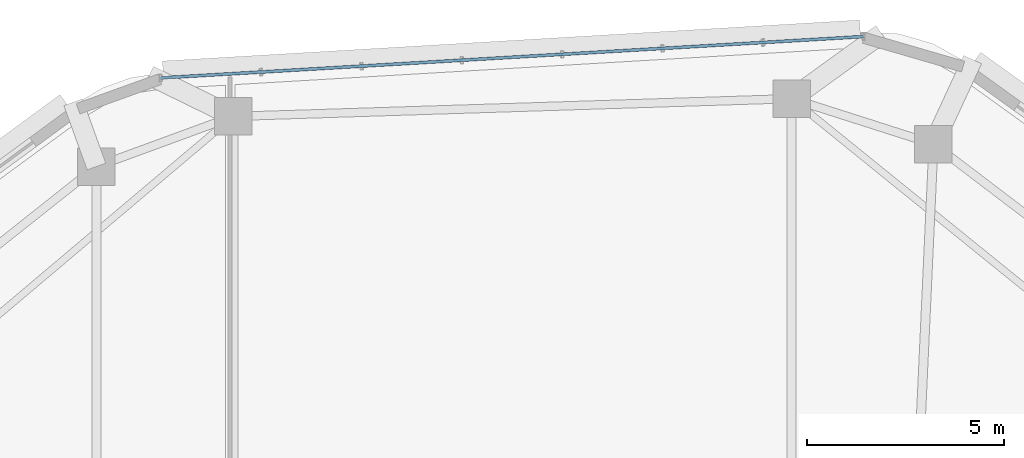
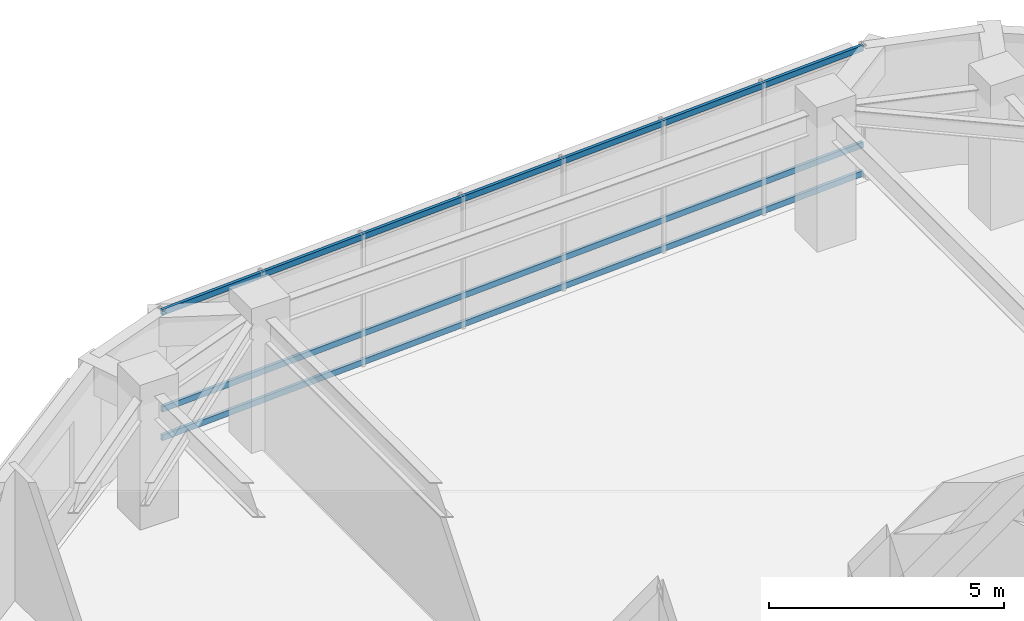
# One storey, part 3 of 14: 3 members, 1 element without a shape of its own.
"""IFC4 building model written with IfcOpenShell, lengths in metres."""

import ifcopenshell
import ifcopenshell.guid

model = None  # the IFC model being written
_history = None  # IfcOwnerHistory: only IFC2X3 demands one
_inside = {}  # id of a spatial element -> (the spatial element, [elements in it])
_under = {}  # id of a project, library or spatial element -> (it, [spatial elements below it])
_declared = {}  # id of a project -> (the project, [libraries it declares])
_typed = {}  # id of a type object -> (the type object, [elements of that type])
_made_of = {}  # id of a material, layer set ... -> (it, [elements and type objects made of it])


def new_model(schema):
    """Start an empty IFC model of exactly this schema.

    Asked for "IFC4X3", IfcOpenShell would pick the latest addendum, in which some entities
    have other attributes; the version numbers below select the first issue.
    IFC2X3 requires an IfcOwnerHistory on every rooted entity: one is made here for all.
    """
    global model, _history
    if schema == "IFC4X3":
        model = ifcopenshell.file(schema_version=(4, 3, 0, 0))
    else:
        model = ifcopenshell.file(schema=schema)
    _inside.clear()
    _under.clear()
    _declared.clear()
    _typed.clear()
    _made_of.clear()
    _history = None
    if model.schema == "IFC2X3":
        org = make("IfcOrganization", Name="unknown")
        user = make(
            "IfcPersonAndOrganization",
            ThePerson=make("IfcPerson", FamilyName="unknown"),
            TheOrganization=org,
        )
        app = make(
            "IfcApplication",
            ApplicationDeveloper=org,
            Version="unknown",
            ApplicationFullName="unknown",
            ApplicationIdentifier="unknown",
        )
        _history = make(
            "IfcOwnerHistory",
            OwningUser=user,
            OwningApplication=app,
            ChangeAction="ADDED",
            CreationDate=0,
        )
    return model


def make(cls, **values):
    """One entity of the class cls with the attributes given. An attribute that is None is left unset."""
    return model.create_entity(
        cls, **{name: value for name, value in values.items() if value is not None}
    )


def rooted(cls, **values):
    """An entity with a GlobalId (a new one), such as an element, a storey or a relation."""
    return make(cls, GlobalId=ifcopenshell.guid.new(), OwnerHistory=_history, **values)


def si_unit(unit_type, name, prefix=None):
    """IfcSIUnit, for example si_unit("LENGTHUNIT", "METRE", prefix="MILLI")."""
    return make("IfcSIUnit", UnitType=unit_type, Prefix=prefix, Name=name)


def assignment(units):
    """IfcUnitAssignment: the units of a project."""
    return None if units is None else make("IfcUnitAssignment", Units=units)


def point(xyz):
    """IfcCartesianPoint."""
    return None if xyz is None else make("IfcCartesianPoint", Coordinates=xyz)


def direction(xyz):
    """IfcDirection."""
    return None if xyz is None else make("IfcDirection", DirectionRatios=xyz)


def frame(location, z_axis=None, x_axis=None):
    """IfcAxis2Placement3D, a coordinate frame: its origin and axes. An axis left out is left unset."""
    return make(
        "IfcAxis2Placement3D",
        Location=point(location),
        Axis=direction(z_axis),
        RefDirection=direction(x_axis),
    )


def frame_2d(location, x_axis=None):
    """IfcAxis2Placement2D, a coordinate frame in the plane: its origin and x axis."""
    return make(
        "IfcAxis2Placement2D", Location=point(location), RefDirection=direction(x_axis)
    )


def origin():
    """The frame at (0, 0, 0) with its axes left unset."""
    return frame((0.0, 0.0, 0.0))


def origin_2d():
    """The frame at (0, 0) in the plane with its x axis left unset."""
    return frame_2d((0.0, 0.0))


def place(relative_to, where):
    """IfcLocalPlacement: puts the frame where relative to a parent placement (None: the world)."""
    return make(
        "IfcLocalPlacement", PlacementRelTo=relative_to, RelativePlacement=where
    )


def context(
    kind, dimensions, precision=None, world=None, true_north=None, identifier=None
):
    """IfcGeometricRepresentationContext, for example the 3D "Model" context."""
    return make(
        "IfcGeometricRepresentationContext",
        ContextIdentifier=identifier,
        ContextType=kind,
        CoordinateSpaceDimension=dimensions,
        Precision=precision,
        WorldCoordinateSystem=world,
        TrueNorth=true_north,
    )


def subcontext(parent, identifier, kind, view, scale=None):
    """IfcGeometricRepresentationSubContext, for example "Body" below "Model"."""
    return make(
        "IfcGeometricRepresentationSubContext",
        ContextIdentifier=identifier,
        ContextType=kind,
        ParentContext=parent,
        TargetScale=scale,
        TargetView=view,
    )


def project(units=None, contexts=None):
    """IfcProject with its units and contexts."""
    return rooted(
        "IfcProject",
        Name="project",
        RepresentationContexts=contexts,
        UnitsInContext=assignment(units),
    )


def spatial(cls, under=None, at=None, **own):
    """A site, building, storey or space (cls), placed at a placement, below another one or the project."""
    s = rooted(cls, ObjectPlacement=at, **own)
    if under is not None:
        _under.setdefault(under.id(), (under, []))[1].append(s)
    return s


def profile(cls, at=None, kind="AREA", **sizes):
    """A parametric profile (cls). Its sizes go by their IFC names, for example OverallWidth=200.0."""
    return make(cls, ProfileType=kind, Position=at, **sizes)


def hollow_rectangle(**sizes):
    """IfcRectangleHollowProfileDef."""
    return profile("IfcRectangleHollowProfileDef", **sizes)


def extrude(swept, where, along, depth):
    """IfcExtrudedAreaSolid: the profile swept, set in the frame where, extruded along a direction by depth."""
    return make(
        "IfcExtrudedAreaSolid",
        SweptArea=swept,
        Position=where,
        ExtrudedDirection=direction(along),
        Depth=depth,
    )


def shape(context_of_items, identifier, shape_type, items):
    """IfcShapeRepresentation: the items that make up one representation, for example the "Body"."""
    return make(
        "IfcShapeRepresentation",
        ContextOfItems=context_of_items,
        RepresentationIdentifier=identifier,
        RepresentationType=shape_type,
        Items=items,
    )


def material(Name=None, Category=None):
    """IfcMaterial."""
    return make("IfcMaterial", Name=Name, Category=Category)


def material_profile(
    of_material, cross_section, Name=None, Category=None, Priority=None
):
    """IfcMaterialProfile: a cross section and its material."""
    return make(
        "IfcMaterialProfile",
        Name=Name,
        Material=of_material,
        Profile=cross_section,
        Priority=Priority,
        Category=Category,
    )


def profile_set(profiles, Name=None, composite=None):
    """IfcMaterialProfileSet."""
    return make(
        "IfcMaterialProfileSet",
        Name=Name,
        MaterialProfiles=profiles,
        CompositeProfile=composite,
    )


def made_of(thing, what):
    """Note that an element or type object is made of a material, layer set ...; save() writes the relation."""
    if what is not None:
        _made_of.setdefault(what.id(), (what, []))[1].append(thing)
    return thing


def type_object(cls, material=None, **own):
    """A type object (cls), such as IfcWallType, which elements share."""
    return made_of(rooted(cls, **own), material)


def element(
    cls,
    number,
    at=None,
    inside=None,
    cuts=None,
    type_object=None,
    material=None,
    context=None,
    identifier="Body",
    shape_type=None,
    held_by="IfcProductDefinitionShape",
    body=None,
    shapes=None,
    **own,
):
    """One element of the class cls, such as IfcWall. Its Tag is "e" and its number.

    at: its placement. inside: the storey or other place that contains it. cuts: it is an
    opening in that element (IfcRelVoidsElement). A single representation is given by context,
    identifier, shape_type and body (its items); several are given by shapes. held_by: the class
    of the entity that holds the representations. save() writes the other relations.
    """
    e = rooted(cls, Tag="e%d" % number, ObjectPlacement=at, **own)
    if body is not None:
        shapes = [shape(context, identifier, shape_type, body)]
    if shapes is not None:
        e.Representation = make(held_by, Representations=shapes)
    if inside is not None:
        _inside.setdefault(inside.id(), (inside, []))[1].append(e)
    if cuts is not None:
        rooted(
            "IfcRelVoidsElement", RelatingBuildingElement=cuts, RelatedOpeningElement=e
        )
    if type_object is not None:
        _typed.setdefault(type_object.id(), (type_object, []))[1].append(e)
    return made_of(e, material)


def aggregate(whole, parts):
    """IfcRelAggregates: a whole, such as a stair, and the parts it consists of."""
    return rooted("IfcRelAggregates", RelatingObject=whole, RelatedObjects=parts)


def save(model, path):
    """Write the relations noted so far, then the file.

    IfcRelAggregates (storeys below a building ...), IfcRelContainedInSpatialStructure (elements
    in a storey), IfcRelDefinesByType, IfcRelAssociatesMaterial and IfcRelDeclares: one each for
    every whole, place, type object, material and project.
    """
    for whole, parts in _under.values():
        aggregate(whole, parts)
    for where, things in _inside.values():
        rooted(
            "IfcRelContainedInSpatialStructure",
            RelatedElements=things,
            RelatingStructure=where,
        )
    for kind, things in _typed.values():
        rooted("IfcRelDefinesByType", RelatedObjects=things, RelatingType=kind)
    for what, things in _made_of.values():
        rooted("IfcRelAssociatesMaterial", RelatedObjects=things, RelatingMaterial=what)
    for by, libraries in _declared.values():
        rooted("IfcRelDeclares", RelatingContext=by, RelatedDefinitions=libraries)
    model.write(path)


model = new_model("IFC4")

# Units and contexts
model_context = context("Model", 3, precision=1e-05, world=origin(), true_north=direction((0.0, 1.0)))
body_context = subcontext(model_context, "Body", "Model", "MODEL_VIEW")
ifc_project = project(units=[si_unit("LENGTHUNIT", "METRE"), si_unit("AREAUNIT", "SQUARE_METRE"), si_unit("VOLUMEUNIT", "CUBIC_METRE"), si_unit("PLANEANGLEUNIT", "RADIAN"), si_unit("MASSUNIT", "GRAM", prefix="KILO")], contexts=[model_context])

# Site, building, storey
site_placement = place(None, origin())
site = spatial("IfcSite", under=ifc_project, at=site_placement, CompositionType="ELEMENT")
building_placement = place(site_placement, origin())
building = spatial("IfcBuilding", under=site, at=building_placement, Name="Zulverin Broadcast Headquarters", CompositionType="ELEMENT")
storey_placement = place(building_placement, frame((0.0, 0.0, 216.199951171875)))
storey = spatial("IfcBuildingStorey", under=building, at=storey_placement, Name="L55", CompositionType="ELEMENT", Elevation=216.199951171875)

# Curtain wall, members
ifc_material_1 = material(Name="Waist wind-pressure unitised curtain wall", Category="aluminium")
curtain_wall_type = type_object("IfcCurtainWallType", Name="CW-TWR-WST", PredefinedType="USERDEFINED", material=ifc_material_1)
curtain_wall_placement = place(storey_placement, origin())
curtain_wall = element("IfcCurtainWall", 1, at=curtain_wall_placement, inside=storey, type_object=curtain_wall_type, Name="L55 Unitised Curtain Wall CW-L55-E5", ObjectType="UNITISED CURTAIN WALL", PredefinedType="USERDEFINED")
ifc_material_2 = material(Name="Anodized pale-metal aluminium alloy 6063-T6", Category="aluminium")
ifc_material_profile = material_profile(ifc_material_2, hollow_rectangle(XDim=0.074951171875, YDim=0.14990234375, WallThickness=0.0048828125, at=origin_2d()), Name="Anodized pale-metal aluminium alloy 6063-T6", Category="aluminium")
ifc_profile_set = profile_set([ifc_material_profile], Name="Anodized pale-metal aluminium alloy 6063-T6")
member_type = type_object("IfcMemberType", Name="CW-TRN-150", PredefinedType="USERDEFINED", material=ifc_profile_set)
member_1_placement = place(storey_placement, frame((46.844970703125, 48.296875, 0.074951171875), z_axis=(-0.998273806631, -0.05873165241, 0.0), x_axis=(0.05873165241, -0.998273806631, 0.0)))
member_1 = element("IfcMember", 2, at=member_1_placement, type_object=member_type, Name="CW-L55-E5 Transom 0", ObjectType="TRANSOM", PredefinedType="USERDEFINED", context=body_context, shape_type="SweptSolid", body=[
    extrude(hollow_rectangle(XDim=0.074951171875, YDim=0.14990234375, WallThickness=0.0048828125, at=origin_2d()), origin(), (0.0, 0.0, 1.0), 17.8330078125),
])
member_2_placement = place(storey_placement, frame((46.844970703125, 48.296875, 0.816162109375), z_axis=(-0.998273806631, -0.05873165241, 0.0), x_axis=(0.05873165241, -0.998273806631, 0.0)))
member_2 = element("IfcMember", 3, at=member_2_placement, type_object=member_type, Name="CW-L55-E5 Transom 1", ObjectType="TRANSOM", PredefinedType="USERDEFINED", context=body_context, shape_type="SweptSolid", body=[
    extrude(hollow_rectangle(XDim=0.074951171875, YDim=0.14990234375, WallThickness=0.0048828125, at=origin_2d()), origin(), (0.0, 0.0, 1.0), 17.8330078125),
])
member_3_placement = place(storey_placement, frame((46.844970703125, 48.296875, 3.324951171875), z_axis=(-0.998273806631, -0.05873165241, 0.0), x_axis=(0.05873165241, -0.998273806631, 0.0)))
member_3 = element("IfcMember", 4, at=member_3_placement, type_object=member_type, Name="CW-L55-E5 Transom 2", ObjectType="TRANSOM", PredefinedType="USERDEFINED", context=body_context, shape_type="SweptSolid", body=[
    extrude(hollow_rectangle(XDim=0.074951171875, YDim=0.14990234375, WallThickness=0.0048828125, at=origin_2d()), origin(), (0.0, 0.0, 1.0), 17.8330078125),
])
aggregate(curtain_wall, [member_1, member_2, member_3])

save(model, "model.ifc")
